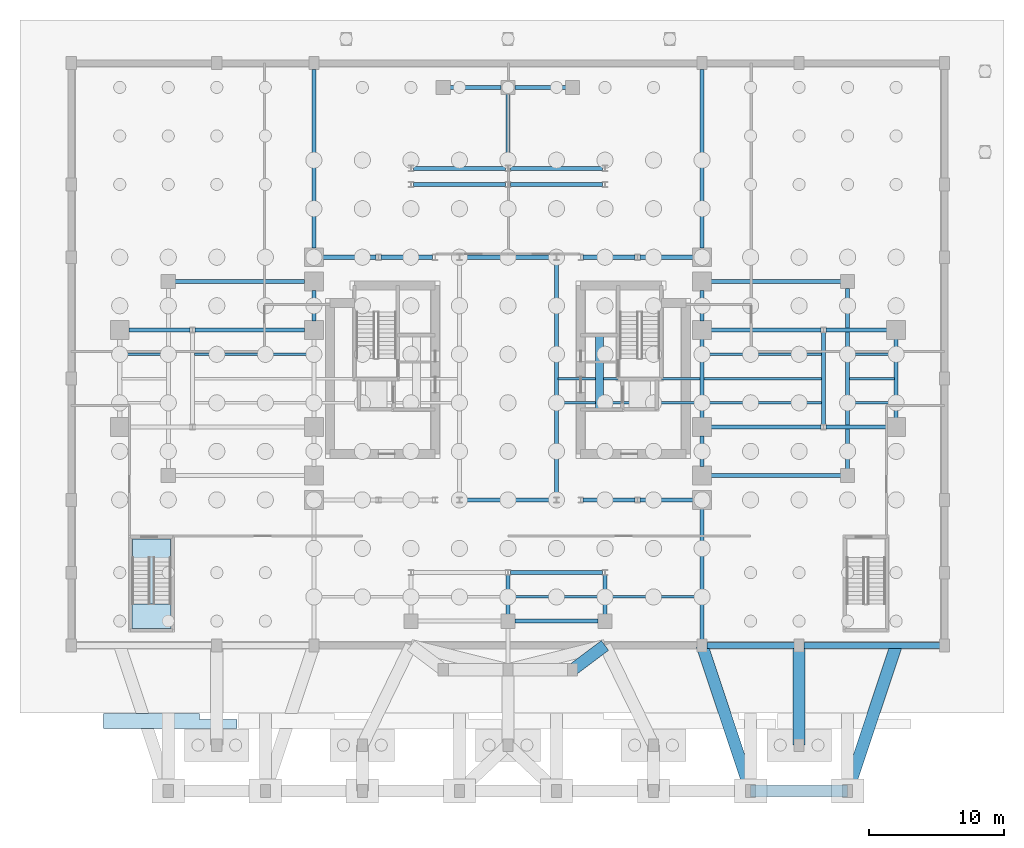
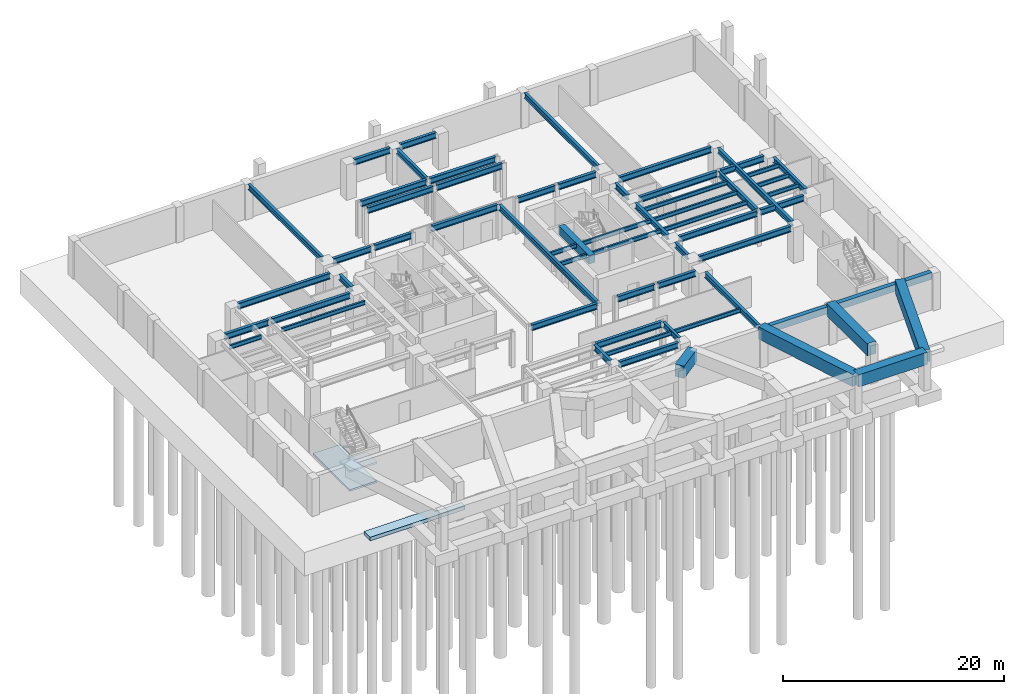
# One storey, part 6 of 13: 59 beams, 3 slabs, 1 element without a shape of its own.
"""IFC4 building model written with IfcOpenShell, lengths in metres."""

from ifc_helpers import new_model, si_unit, direction, frame, origin, origin_2d, place, context, subcontext, project, spatial, polyline, rectangle, i_section, outline, extrude, source, transform, mapped, material, layer, layer_set, material_profile, profile_set, type_object, element, aggregate, save


model = new_model("IFC4")

# Units and contexts
model_context = context("Model", 3, precision=1e-05, world=origin(), true_north=direction((0.0, 1.0)))
body_context = subcontext(model_context, "Body", "Model", "MODEL_VIEW")
ifc_project = project(units=[si_unit("LENGTHUNIT", "METRE"), si_unit("AREAUNIT", "SQUARE_METRE"), si_unit("VOLUMEUNIT", "CUBIC_METRE"), si_unit("PLANEANGLEUNIT", "RADIAN"), si_unit("MASSUNIT", "GRAM", prefix="KILO")], contexts=[model_context])

# Site, building, storey
site_placement = place(None, origin())
site = spatial("IfcSite", under=ifc_project, at=site_placement, CompositionType="ELEMENT")
building_placement = place(site_placement, origin())
building = spatial("IfcBuilding", under=site, at=building_placement, Name="Keilestroom Media Tower", CompositionType="ELEMENT")
storey_placement = place(building_placement, frame((0.0, 0.0, -8.39990234375)))
storey = spatial("IfcBuildingStorey", under=building, at=storey_placement, Name="B2", CompositionType="ELEMENT", Elevation=-8.39990234375)

# Beams
ifc_material_1 = material(Name="Concrete C55/67", Category="concrete")
ifc_material_profile_1 = material_profile(ifc_material_1, rectangle(XDim=0.89990234375, YDim=1.35009765625, at=origin_2d()), Name="RC 900x1350")
ifc_profile_set_1 = profile_set([ifc_material_profile_1], Name="Concrete C55/67")
beam_type_1 = type_object("IfcBeamType", Name="Primary-Structural-Girder-RC-900x1350", PredefinedType="BEAM", material=ifc_profile_set_1)
shared_shape_1 = source(origin(), body_context, "Body", "SweptSolid", [
    extrude(rectangle(XDim=0.89990234375, YDim=1.35009765625, at=origin_2d()), origin(), (0.0, 0.0, 1.0), 3.0),
])
beam_1_placement = place(storey_placement, frame((4.800048828125, -21.60009765625, 3.5048828125), z_axis=(0.799980468008, 0.600026041773, 0.0), x_axis=(-0.600026041773, 0.799980468008, 0.0)))
element("IfcBeam", 1, at=beam_1_placement, inside=storey, type_object=beam_type_1, Name="B2 South-Lobe Podium Tie Girder 4", PredefinedType="BEAM", context=body_context, shape_type="MappedRepresentation", body=[
    mapped(shared_shape_1, transform((0.0, 0.0, 0.0), x_axis=(1.0, 0.0, 0.0), y_axis=(0.0, 1.0, 0.0), z_axis=(0.0, 0.0, 1.0), scale=1.0)),
])
shared_shape_2 = source(origin(), body_context, "Body", "SweptSolid", [
    extrude(rectangle(XDim=0.89990234375, YDim=1.35009765625, at=origin_2d()), origin(), (0.0, 0.0, 1.0), 11.38427734375),
])
for number, where, z_axis, x_axis, name in (
    (2, (18.0, -30.60009765625, 3.52490234375), (-0.316234199636, 0.948681153486, 0.0), (-0.948681153486, -0.316234199636, 0.0), "B2 Quay Apron Structural Tie Beam 07"),
    (3, (25.199951171875, -30.60009765625, 3.52490234375), (0.316234199636, 0.948681153486, 0.0), (-0.948681153486, 0.316234199636, 0.0), "B2 Quay Apron Structural Tie Beam 08"),
):
    element("IfcBeam", number, at=place(storey_placement, frame(where, z_axis=z_axis, x_axis=x_axis)), inside=storey, type_object=beam_type_1, Name=name, PredefinedType="BEAM", context=body_context, shape_type="MappedRepresentation", body=[
        mapped(shared_shape_2, transform((0.0, 0.0, 0.0), x_axis=(1.0, 0.0, 0.0), y_axis=(0.0, 1.0, 0.0), z_axis=(0.0, 0.0, 1.0), scale=1.0)),
    ])
shared_shape_3 = source(origin(), body_context, "Body", "SweptSolid", [
    extrude(rectangle(XDim=0.89990234375, YDim=1.35009765625, at=origin_2d()), origin(), (0.0, 0.0, 1.0), 7.39990234375),
])
beam_2_placement = place(storey_placement, frame((21.60009765625, -27.199951171875, 3.52490234375), z_axis=(0.0, 1.0, 0.0), x_axis=(-1.0, 0.0, 0.0)))
element("IfcBeam", 4, at=beam_2_placement, inside=storey, type_object=beam_type_1, Name="B2 Quay Apron Structural Tie Beam 13", PredefinedType="BEAM", context=body_context, shape_type="MappedRepresentation", body=[
    mapped(shared_shape_3, transform((0.0, 0.0, 0.0), x_axis=(1.0, 0.0, 0.0), y_axis=(0.0, 1.0, 0.0), z_axis=(0.0, 0.0, 1.0), scale=1.0)),
])
shared_shape_4 = source(origin(), body_context, "Body", "SweptSolid", [
    extrude(rectangle(XDim=0.89990234375, YDim=1.35009765625, at=origin_2d()), origin(), (0.0, 0.0, 1.0), 7.199951171875),
])
beam_3_placement = place(storey_placement, frame((18.0, -30.60009765625, 3.52490234375), z_axis=(1.0, 0.0, 0.0), x_axis=(0.0, 1.0, 0.0)))
element("IfcBeam", 5, at=beam_3_placement, inside=storey, type_object=beam_type_1, Name="B2 Quay Apron Structural Tie Beam 20", PredefinedType="BEAM", context=body_context, shape_type="MappedRepresentation", body=[
    mapped(shared_shape_4, transform((0.0, 0.0, 0.0), x_axis=(1.0, 0.0, 0.0), y_axis=(0.0, 1.0, 0.0), z_axis=(0.0, 0.0, 1.0), scale=1.0)),
])
ifc_material_2 = material(Name="Precast concrete C40/50", Category="concrete")
ifc_material_profile_2 = material_profile(ifc_material_2, rectangle(XDim=0.449951171875, YDim=0.75, at=origin_2d()), Name="PC 450x750")
ifc_profile_set_2 = profile_set([ifc_material_profile_2], Name="Precast concrete C40/50")
beam_type_2 = type_object("IfcBeamType", Name="Perimeter-Spandrel-Beam-PC-450x750", PredefinedType="SPANDREL", material=ifc_profile_set_2)
shared_shape_5 = source(origin(), body_context, "Body", "SweptSolid", [
    extrude(rectangle(XDim=0.449951171875, YDim=0.75, at=origin_2d()), origin(), (0.0, 0.0, 1.0), 10.08984375),
])
beam_4_placement = place(storey_placement, frame((21.955078125, -19.800048828125, 3.544921875), z_axis=(1.0, 0.0, 0.0), x_axis=(0.0, 1.0, 0.0)))
element("IfcBeam", 6, at=beam_4_placement, inside=storey, type_object=beam_type_2, Name="B2 Beam SPB-1 BM-B2-EW-004", PredefinedType="SPANDREL", context=body_context, shape_type="MappedRepresentation", body=[
    mapped(shared_shape_5, transform((0.0, 0.0, 0.0), x_axis=(1.0, 0.0, 0.0), y_axis=(0.0, 1.0, 0.0), z_axis=(0.0, 0.0, 1.0), scale=1.0)),
])
shared_shape_6 = source(origin(), body_context, "Body", "SweptSolid", [
    extrude(rectangle(XDim=0.449951171875, YDim=0.75, at=origin_2d()), origin(), (0.0, 0.0, 1.0), 6.490234375),
])
beam_5_placement = place(storey_placement, frame((14.7548828125, -19.800048828125, 3.544921875), z_axis=(1.0, 0.0, 0.0), x_axis=(0.0, 1.0, 0.0)))
element("IfcBeam", 7, at=beam_5_placement, inside=storey, type_object=beam_type_2, Name="B2 Beam SPB-1 BM-B2-EW-003", PredefinedType="SPANDREL", context=body_context, shape_type="MappedRepresentation", body=[
    mapped(shared_shape_6, transform((0.0, 0.0, 0.0), x_axis=(1.0, 0.0, 0.0), y_axis=(0.0, 1.0, 0.0), z_axis=(0.0, 0.0, 1.0), scale=1.0)),
])
ifc_material_3 = material(Name="Steel S355", Category="steel")
ifc_material_profile_3 = material_profile(ifc_material_3, i_section(OverallWidth=0.300048828125, OverallDepth=0.64990234375, WebThickness=0.013916015625, FlangeThickness=0.031005859375, at=origin_2d()), Name="HEB 650")
ifc_profile_set_3 = profile_set([ifc_material_profile_3], Name="Steel S355")
beam_type_3 = type_object("IfcBeamType", Name="Primary-Structural-Girder-HEB-650", PredefinedType="BEAM", material=ifc_profile_set_3)
shared_shape_7 = source(origin(), body_context, "Body", "SweptSolid", [
    extrude(i_section(OverallWidth=0.300048828125, OverallDepth=0.64990234375, WebThickness=0.013916015625, FlangeThickness=0.031005859375, at=origin_2d()), origin(), (0.0, 0.0, 1.0), 6.190185546875),
])
beam_6_placement = place(storey_placement, frame((0.5048828125, -18.0, 3.594970703125), z_axis=(1.0, 0.0, 0.0), x_axis=(0.0, 1.0, 0.0)))
element("IfcBeam", 8, at=beam_6_placement, inside=storey, type_object=beam_type_3, Name="B2 Beam BG-3 BM-B2-EW-006", PredefinedType="BEAM", context=body_context, shape_type="MappedRepresentation", body=[
    mapped(shared_shape_7, transform((0.0, 0.0, 0.0), x_axis=(1.0, 0.0, 0.0), y_axis=(0.0, 1.0, 0.0), z_axis=(0.0, 0.0, 1.0), scale=1.0)),
])
shared_shape_8 = source(origin(), body_context, "Body", "SweptSolid", [
    extrude(i_section(OverallWidth=0.300048828125, OverallDepth=0.64990234375, WebThickness=0.013916015625, FlangeThickness=0.031005859375, at=origin_2d()), origin(), (0.0, 0.0, 1.0), 6.833984375),
])
for number, where, z_axis, x_axis, name in (
    (9, (0.18310546875, -14.39990234375, 3.594970703125), (1.0, 0.0, 0.0), (0.0, 1.0, 0.0), "B2 Beam BG-3 BM-B2-EW-008"),
    (10, (-3.4169921875, -9.0, 3.594970703125), (1.0, 0.0, 0.0), (0.0, 1.0, 0.0), "B2 Beam BG-3 BM-B2-EW-012"),
    (11, (-3.4169921875, 9.0, 3.594970703125), (1.0, 0.0, 0.0), (0.0, 1.0, 0.0), "B2 Beam BG-3 BM-B2-EW-031"),
    (12, (-7.01708984375, 14.39990234375, 3.594970703125), (1.0, 0.0, 0.0), (0.0, 1.0, 0.0), "B2 Beam BG-3 BM-B2-EW-035"),
    (13, (0.18310546875, 14.39990234375, 3.594970703125), (1.0, 0.0, 0.0), (0.0, 1.0, 0.0), "B2 Beam BG-3 BM-B2-EW-036"),
    (14, (-7.01708984375, 15.60009765625, 3.594970703125), (1.0, 0.0, 0.0), (0.0, 1.0, 0.0), "B2 Beam BG-3 BM-B2-EW-037"),
    (15, (0.18310546875, 15.60009765625, 3.594970703125), (1.0, 0.0, 0.0), (0.0, 1.0, 0.0), "B2 Beam BG-3 BM-B2-EW-038"),
):
    element("IfcBeam", number, at=place(storey_placement, frame(where, z_axis=z_axis, x_axis=x_axis)), inside=storey, type_object=beam_type_3, Name=name, PredefinedType="BEAM", context=body_context, shape_type="MappedRepresentation", body=[
        mapped(shared_shape_8, transform((0.0, 0.0, 0.0), x_axis=(1.0, 0.0, 0.0), y_axis=(0.0, 1.0, 0.0), z_axis=(0.0, 0.0, 1.0), scale=1.0)),
    ])
shared_shape_9 = source(origin(), body_context, "Body", "SweptSolid", [
    extrude(i_section(OverallWidth=0.300048828125, OverallDepth=0.64990234375, WebThickness=0.013916015625, FlangeThickness=0.031005859375, at=origin_2d()), origin(), (0.0, 0.0, 1.0), 3.93701171875),
])
for number, where, z_axis, x_axis, name in (
    (16, (9.782958984375, -9.0, 3.594970703125), (1.0, 0.0, 0.0), (0.0, 1.0, 0.0), "B2 Beam BG-3 BM-B2-EW-015"),
    (17, (-13.719970703125, 9.0, 3.594970703125), (1.0, 0.0, 0.0), (0.0, 1.0, 0.0), "B2 Beam BG-3 BM-B2-EW-028"),
    (18, (9.782958984375, 9.0, 3.594970703125), (1.0, 0.0, 0.0), (0.0, 1.0, 0.0), "B2 Beam BG-3 BM-B2-EW-034"),
):
    element("IfcBeam", number, at=place(storey_placement, frame(where, z_axis=z_axis, x_axis=x_axis)), inside=storey, type_object=beam_type_3, Name=name, PredefinedType="BEAM", context=body_context, shape_type="MappedRepresentation", body=[
        mapped(shared_shape_9, transform((0.0, 0.0, 0.0), x_axis=(1.0, 0.0, 0.0), y_axis=(0.0, 1.0, 0.0), z_axis=(0.0, 0.0, 1.0), scale=1.0)),
    ])
shared_shape_10 = source(origin(), body_context, "Body", "SweptSolid", [
    extrude(i_section(OverallWidth=0.300048828125, OverallDepth=0.64990234375, WebThickness=0.013916015625, FlangeThickness=0.031005859375, at=origin_2d()), origin(), (0.0, 0.0, 1.0), 3.833984375),
])
for number, where, z_axis, x_axis, name in (
    (19, (5.5830078125, -9.0, 3.594970703125), (1.0, 0.0, 0.0), (0.0, 1.0, 0.0), "B2 Beam BG-3 BM-B2-EW-014"),
    (20, (-9.4169921875, 9.0, 3.594970703125), (1.0, 0.0, 0.0), (0.0, 1.0, 0.0), "B2 Beam BG-3 BM-B2-EW-029"),
    (21, (5.5830078125, 9.0, 3.594970703125), (1.0, 0.0, 0.0), (0.0, 1.0, 0.0), "B2 Beam BG-3 BM-B2-EW-033"),
):
    element("IfcBeam", number, at=place(storey_placement, frame(where, z_axis=z_axis, x_axis=x_axis)), inside=storey, type_object=beam_type_3, Name=name, PredefinedType="BEAM", context=body_context, shape_type="MappedRepresentation", body=[
        mapped(shared_shape_10, transform((0.0, 0.0, 0.0), x_axis=(1.0, 0.0, 0.0), y_axis=(0.0, 1.0, 0.0), z_axis=(0.0, 0.0, 1.0), scale=1.0)),
    ])
shared_shape_11 = source(origin(), body_context, "Body", "SweptSolid", [
    extrude(i_section(OverallWidth=0.300048828125, OverallDepth=0.64990234375, WebThickness=0.013916015625, FlangeThickness=0.031005859375, at=origin_2d()), origin(), (0.0, 0.0, 1.0), 9.614990234375),
])
for number, where, z_axis, x_axis, name in (
    (22, (15.080078125, -7.199951171875, 3.594970703125), (1.0, 0.0, 0.0), (0.0, 1.0, 0.0), "B2 Beam BG-3 BM-B2-EW-017"),
    (23, (-24.695068359375, 7.199951171875, 3.594970703125), (1.0, 0.0, 0.0), (0.0, 1.0, 0.0), "B2 Beam BG-3 BM-B2-EW-026"),
    (24, (15.080078125, 7.199951171875, 3.594970703125), (1.0, 0.0, 0.0), (0.0, 1.0, 0.0), "B2 Beam BG-3 BM-B2-EW-027"),
):
    element("IfcBeam", number, at=place(storey_placement, frame(where, z_axis=z_axis, x_axis=x_axis)), inside=storey, type_object=beam_type_3, Name=name, PredefinedType="BEAM", context=body_context, shape_type="MappedRepresentation", body=[
        mapped(shared_shape_11, transform((0.0, 0.0, 0.0), x_axis=(1.0, 0.0, 0.0), y_axis=(0.0, 1.0, 0.0), z_axis=(0.0, 0.0, 1.0), scale=1.0)),
    ])
shared_shape_12 = source(origin(), body_context, "Body", "SweptSolid", [
    extrude(i_section(OverallWidth=0.300048828125, OverallDepth=0.64990234375, WebThickness=0.013916015625, FlangeThickness=0.031005859375, at=origin_2d()), origin(), (0.0, 0.0, 1.0), 4.537109375),
])
for number, where, z_axis, x_axis, name in (
    (25, (23.5830078125, -3.60009765625, 3.594970703125), (1.0, 0.0, 0.0), (0.0, 1.0, 0.0), "B2 Beam BG-3 BM-B2-EW-021"),
    (26, (-28.1201171875, 3.60009765625, 3.594970703125), (1.0, 0.0, 0.0), (0.0, 1.0, 0.0), "B2 Beam BG-3 BM-B2-EW-022"),
    (27, (23.5830078125, 3.60009765625, 3.594970703125), (1.0, 0.0, 0.0), (0.0, 1.0, 0.0), "B2 Beam BG-3 BM-B2-EW-025"),
):
    element("IfcBeam", number, at=place(storey_placement, frame(where, z_axis=z_axis, x_axis=x_axis)), inside=storey, type_object=beam_type_3, Name=name, PredefinedType="BEAM", context=body_context, shape_type="MappedRepresentation", body=[
        mapped(shared_shape_12, transform((0.0, 0.0, 0.0), x_axis=(1.0, 0.0, 0.0), y_axis=(0.0, 1.0, 0.0), z_axis=(0.0, 0.0, 1.0), scale=1.0)),
    ])
shared_shape_13 = source(origin(), body_context, "Body", "SweptSolid", [
    extrude(i_section(OverallWidth=0.300048828125, OverallDepth=0.64990234375, WebThickness=0.013916015625, FlangeThickness=0.031005859375, at=origin_2d()), origin(), (0.0, 0.0, 1.0), 8.136962890625),
])
for number, where, z_axis, x_axis, name in (
    (28, (15.080078125, -3.60009765625, 3.594970703125), (1.0, 0.0, 0.0), (0.0, 1.0, 0.0), "B2 Beam BG-3 BM-B2-EW-020"),
    (29, (-23.217041015625, 3.60009765625, 3.594970703125), (1.0, 0.0, 0.0), (0.0, 1.0, 0.0), "B2 Beam BG-3 BM-B2-EW-023"),
    (30, (15.080078125, 3.60009765625, 3.594970703125), (1.0, 0.0, 0.0), (0.0, 1.0, 0.0), "B2 Beam BG-3 BM-B2-EW-024"),
):
    element("IfcBeam", number, at=place(storey_placement, frame(where, z_axis=z_axis, x_axis=x_axis)), inside=storey, type_object=beam_type_3, Name=name, PredefinedType="BEAM", context=body_context, shape_type="MappedRepresentation", body=[
        mapped(shared_shape_13, transform((0.0, 0.0, 0.0), x_axis=(1.0, 0.0, 0.0), y_axis=(0.0, 1.0, 0.0), z_axis=(0.0, 0.0, 1.0), scale=1.0)),
    ])
shared_shape_14 = source(origin(), body_context, "Body", "SweptSolid", [
    extrude(i_section(OverallWidth=0.300048828125, OverallDepth=0.64990234375, WebThickness=0.013916015625, FlangeThickness=0.031005859375, at=origin_2d()), origin(), (0.0, 0.0, 1.0), 3.7900390625),
])
for number, where, z_axis, x_axis, name in (
    (31, (-4.294921875, 21.60009765625, 3.594970703125), (1.0, 0.0, 0.0), (0.0, 1.0, 0.0), "B2 Beam BG-3 BM-B2-EW-039"),
    (32, (0.5048828125, 21.60009765625, 3.594970703125), (1.0, 0.0, 0.0), (0.0, 1.0, 0.0), "B2 Beam BG-3 BM-B2-EW-040"),
):
    element("IfcBeam", number, at=place(storey_placement, frame(where, z_axis=z_axis, x_axis=x_axis)), inside=storey, type_object=beam_type_3, Name=name, PredefinedType="BEAM", context=body_context, shape_type="MappedRepresentation", body=[
        mapped(shared_shape_14, transform((0.0, 0.0, 0.0), x_axis=(1.0, 0.0, 0.0), y_axis=(0.0, 1.0, 0.0), z_axis=(0.0, 0.0, 1.0), scale=1.0)),
    ])
ifc_material_profile_4 = material_profile(ifc_material_3, i_section(OverallWidth=0.300048828125, OverallDepth=0.590087890625, WebThickness=0.012939453125, FlangeThickness=0.02490234375, at=origin_2d()), Name="HEA 600")
ifc_profile_set_4 = profile_set([ifc_material_profile_4], Name="Steel S355")
beam_type_4 = type_object("IfcBeamType", Name="Primary-Structural-Girder-HEA-600", PredefinedType="BEAM", material=ifc_profile_set_4)
shared_shape_15 = source(origin(), body_context, "Body", "SweptSolid", [
    extrude(i_section(OverallWidth=0.300048828125, OverallDepth=0.590087890625, WebThickness=0.012939453125, FlangeThickness=0.02490234375, at=origin_2d()), origin(), (0.0, 0.0, 1.0), 5.83984375),
])
for number, where, z_axis, x_axis, name in (
    (33, (14.39990234375, -2.919921875, 3.625), (0.0, 1.0, 0.0), (-1.0, 0.0, 0.0), "B2 Beam BG-9 BM-B2-NS-078"),
    (34, (28.800048828125, -2.919921875, 3.625), (0.0, 1.0, 0.0), (-1.0, 0.0, 0.0), "B2 Beam BG-9 BM-B2-NS-084"),
):
    element("IfcBeam", number, at=place(storey_placement, frame(where, z_axis=z_axis, x_axis=x_axis)), inside=storey, type_object=beam_type_4, Name=name, PredefinedType="BEAM", context=body_context, shape_type="MappedRepresentation", body=[
        mapped(shared_shape_15, transform((0.0, 0.0, 0.0), x_axis=(1.0, 0.0, 0.0), y_axis=(0.0, 1.0, 0.0), z_axis=(0.0, 0.0, 1.0), scale=1.0)),
    ])
shared_shape_16 = source(origin(), body_context, "Body", "SweptSolid", [
    extrude(i_section(OverallWidth=0.300048828125, OverallDepth=0.590087890625, WebThickness=0.012939453125, FlangeThickness=0.02490234375, at=origin_2d()), origin(), (0.0, 0.0, 1.0), 13.39013671875),
])
beam_7_placement = place(storey_placement, frame((25.199951171875, -6.695068359375, 3.625), z_axis=(0.0, 1.0, 0.0), x_axis=(-1.0, 0.0, 0.0)))
element("IfcBeam", 35, at=beam_7_placement, inside=storey, type_object=beam_type_4, Name="B2 Beam BG-9 BM-B2-NS-083", PredefinedType="BEAM", context=body_context, shape_type="MappedRepresentation", body=[
    mapped(shared_shape_16, transform((0.0, 0.0, 0.0), x_axis=(1.0, 0.0, 0.0), y_axis=(0.0, 1.0, 0.0), z_axis=(0.0, 0.0, 1.0), scale=1.0)),
])
shared_shape_17 = source(origin(), body_context, "Body", "SweptSolid", [
    extrude(i_section(OverallWidth=0.300048828125, OverallDepth=0.590087890625, WebThickness=0.012939453125, FlangeThickness=0.02490234375, at=origin_2d()), origin(), (0.0, 0.0, 1.0), 6.82421875),
])
beam_8_placement = place(storey_placement, frame((23.39990234375, -3.412109375, 3.625), z_axis=(0.0, 1.0, 0.0), x_axis=(-1.0, 0.0, 0.0)))
element("IfcBeam", 36, at=beam_8_placement, inside=storey, type_object=beam_type_4, Name="B2 Beam BG-9 BM-B2-NS-082", PredefinedType="BEAM", context=body_context, shape_type="MappedRepresentation", body=[
    mapped(shared_shape_17, transform((0.0, 0.0, 0.0), x_axis=(1.0, 0.0, 0.0), y_axis=(0.0, 1.0, 0.0), z_axis=(0.0, 0.0, 1.0), scale=1.0)),
])
shared_shape_18 = source(origin(), body_context, "Body", "SweptSolid", [
    extrude(i_section(OverallWidth=0.300048828125, OverallDepth=0.590087890625, WebThickness=0.012939453125, FlangeThickness=0.02490234375, at=origin_2d()), origin(), (0.0, 0.0, 1.0), 9.6650390625),
])
beam_9_placement = place(storey_placement, frame((14.39990234375, -19.344970703125, 3.625), z_axis=(0.0, 1.0, 0.0), x_axis=(-1.0, 0.0, 0.0)))
element("IfcBeam", 37, at=beam_9_placement, inside=storey, type_object=beam_type_4, Name="B2 Beam BG-9 BM-B2-NS-075", PredefinedType="BEAM", context=body_context, shape_type="MappedRepresentation", body=[
    mapped(shared_shape_18, transform((0.0, 0.0, 0.0), x_axis=(1.0, 0.0, 0.0), y_axis=(0.0, 1.0, 0.0), z_axis=(0.0, 0.0, 1.0), scale=1.0)),
])
shared_shape_19 = source(origin(), body_context, "Body", "SweptSolid", [
    extrude(i_section(OverallWidth=0.300048828125, OverallDepth=0.590087890625, WebThickness=0.012939453125, FlangeThickness=0.02490234375, at=origin_2d()), origin(), (0.0, 0.0, 1.0), 2.239990234375),
])
for number, where, z_axis, x_axis, name in (
    (38, (-14.39990234375, 4.280029296875, 3.625), (0.0, 1.0, 0.0), (-1.0, 0.0, 0.0), "B2 Beam BG-9 BM-B2-NS-058"),
    (39, (14.39990234375, -6.52001953125, 3.625), (0.0, 1.0, 0.0), (-1.0, 0.0, 0.0), "B2 Beam BG-9 BM-B2-NS-077"),
    (40, (14.39990234375, 4.280029296875, 3.625), (0.0, 1.0, 0.0), (-1.0, 0.0, 0.0), "B2 Beam BG-9 BM-B2-NS-079"),
):
    element("IfcBeam", number, at=place(storey_placement, frame(where, z_axis=z_axis, x_axis=x_axis)), inside=storey, type_object=beam_type_4, Name=name, PredefinedType="BEAM", context=body_context, shape_type="MappedRepresentation", body=[
        mapped(shared_shape_19, transform((0.0, 0.0, 0.0), x_axis=(1.0, 0.0, 0.0), y_axis=(0.0, 1.0, 0.0), z_axis=(0.0, 0.0, 1.0), scale=1.0)),
    ])
shared_shape_20 = source(origin(), body_context, "Body", "SweptSolid", [
    extrude(i_section(OverallWidth=0.300048828125, OverallDepth=0.590087890625, WebThickness=0.012939453125, FlangeThickness=0.02490234375, at=origin_2d()), origin(), (0.0, 0.0, 1.0), 13.26513671875),
])
for number, where, z_axis, x_axis, name in (
    (41, (-14.39990234375, 9.679931640625, 3.625), (0.0, 1.0, 0.0), (-1.0, 0.0, 0.0), "B2 Beam BG-9 BM-B2-NS-060"),
    (42, (14.39990234375, 9.679931640625, 3.625), (0.0, 1.0, 0.0), (-1.0, 0.0, 0.0), "B2 Beam BG-9 BM-B2-NS-081"),
):
    element("IfcBeam", number, at=place(storey_placement, frame(where, z_axis=z_axis, x_axis=x_axis)), inside=storey, type_object=beam_type_4, Name=name, PredefinedType="BEAM", context=body_context, shape_type="MappedRepresentation", body=[
        mapped(shared_shape_20, transform((0.0, 0.0, 0.0), x_axis=(1.0, 0.0, 0.0), y_axis=(0.0, 1.0, 0.0), z_axis=(0.0, 0.0, 1.0), scale=1.0)),
    ])
shared_shape_21 = source(origin(), body_context, "Body", "SweptSolid", [
    extrude(i_section(OverallWidth=0.300048828125, OverallDepth=0.590087890625, WebThickness=0.012939453125, FlangeThickness=0.02490234375, at=origin_2d()), origin(), (0.0, 0.0, 1.0), 2.9072265625),
])
for number, where, z_axis, x_axis, name in (
    (43, (0.0, -17.4951171875, 3.625), (0.0, 1.0, 0.0), (-1.0, 0.0, 0.0), "B2 Beam BG-9 BM-B2-NS-067"),
    (44, (7.199951171875, -17.4951171875, 3.625), (0.0, 1.0, 0.0), (-1.0, 0.0, 0.0), "B2 Beam BG-9 BM-B2-NS-072"),
):
    element("IfcBeam", number, at=place(storey_placement, frame(where, z_axis=z_axis, x_axis=x_axis)), inside=storey, type_object=beam_type_4, Name=name, PredefinedType="BEAM", context=body_context, shape_type="MappedRepresentation", body=[
        mapped(shared_shape_21, transform((0.0, 0.0, 0.0), x_axis=(1.0, 0.0, 0.0), y_axis=(0.0, 1.0, 0.0), z_axis=(0.0, 0.0, 1.0), scale=1.0)),
    ])
shared_shape_22 = source(origin(), body_context, "Body", "SweptSolid", [
    extrude(i_section(OverallWidth=0.300048828125, OverallDepth=0.590087890625, WebThickness=0.012939453125, FlangeThickness=0.02490234375, at=origin_2d()), origin(), (0.0, 0.0, 1.0), 17.6240234375),
])
beam_10_placement = place(storey_placement, frame((3.60009765625, -8.81201171875, 3.625), z_axis=(0.0, 1.0, 0.0), x_axis=(-1.0, 0.0, 0.0)))
element("IfcBeam", 45, at=beam_10_placement, inside=storey, type_object=beam_type_4, Name="B2 Beam BG-9 BM-B2-NS-070", PredefinedType="BEAM", context=body_context, shape_type="MappedRepresentation", body=[
    mapped(shared_shape_22, transform((0.0, 0.0, 0.0), x_axis=(1.0, 0.0, 0.0), y_axis=(0.0, 1.0, 0.0), z_axis=(0.0, 0.0, 1.0), scale=1.0)),
])
shared_shape_23 = source(origin(), body_context, "Body", "SweptSolid", [
    extrude(i_section(OverallWidth=0.300048828125, OverallDepth=0.590087890625, WebThickness=0.012939453125, FlangeThickness=0.02490234375, at=origin_2d()), origin(), (0.0, 0.0, 1.0), 5.306884765625),
])
beam_11_placement = place(storey_placement, frame((0.0, 15.7880859375, 3.625), z_axis=(0.0, 1.0, 0.0), x_axis=(-1.0, 0.0, 0.0)))
element("IfcBeam", 46, at=beam_11_placement, inside=storey, type_object=beam_type_4, Name="B2 Beam BG-9 BM-B2-NS-069", PredefinedType="BEAM", context=body_context, shape_type="MappedRepresentation", body=[
    mapped(shared_shape_23, transform((0.0, 0.0, 0.0), x_axis=(1.0, 0.0, 0.0), y_axis=(0.0, 1.0, 0.0), z_axis=(0.0, 0.0, 1.0), scale=1.0)),
])
ifc_material_profile_5 = material_profile(ifc_material_3, i_section(OverallWidth=0.18994140625, OverallDepth=0.449951171875, WebThickness=0.009521484375, FlangeThickness=0.0146484375, at=origin_2d()), Name="IPE 450")
ifc_profile_set_5 = profile_set([ifc_material_profile_5], Name="Steel S355")
beam_type_5 = type_object("IfcBeamType", Name="Secondary-Floor-Joist-IPE-450", PredefinedType="JOIST", material=ifc_profile_set_5)
shared_shape_24 = source(origin(), body_context, "Body", "SweptSolid", [
    extrude(i_section(OverallWidth=0.18994140625, OverallDepth=0.449951171875, WebThickness=0.009521484375, FlangeThickness=0.0146484375, at=origin_2d()), origin(), (0.0, 0.0, 1.0), 6.93994140625),
])
beam_12_placement = place(storey_placement, frame((7.330078125, -16.199951171875, 3.69482421875), z_axis=(1.0, 0.0, 0.0), x_axis=(0.0, 1.0, 0.0)))
element("IfcBeam", 47, at=beam_12_placement, inside=storey, type_object=beam_type_5, Name="B2 Beam BJ-3 JST-B2-094", PredefinedType="JOIST", context=body_context, shape_type="MappedRepresentation", body=[
    mapped(shared_shape_24, transform((0.0, 0.0, 0.0), x_axis=(1.0, 0.0, 0.0), y_axis=(0.0, 1.0, 0.0), z_axis=(0.0, 0.0, 1.0), scale=1.0)),
])
shared_shape_25 = source(origin(), body_context, "Body", "SweptSolid", [
    extrude(i_section(OverallWidth=0.18994140625, OverallDepth=0.449951171875, WebThickness=0.009521484375, FlangeThickness=0.0146484375, at=origin_2d()), origin(), (0.0, 0.0, 1.0), 6.940185546875),
])
beam_13_placement = place(storey_placement, frame((0.1298828125, -16.199951171875, 3.69482421875), z_axis=(1.0, 0.0, 0.0), x_axis=(0.0, 1.0, 0.0)))
element("IfcBeam", 48, at=beam_13_placement, inside=storey, type_object=beam_type_5, Name="B2 Beam BJ-3 JST-B2-093", PredefinedType="JOIST", context=body_context, shape_type="MappedRepresentation", body=[
    mapped(shared_shape_25, transform((0.0, 0.0, 0.0), x_axis=(1.0, 0.0, 0.0), y_axis=(0.0, 1.0, 0.0), z_axis=(0.0, 0.0, 1.0), scale=1.0)),
])
shared_shape_26 = source(origin(), body_context, "Body", "SweptSolid", [
    extrude(i_section(OverallWidth=0.18994140625, OverallDepth=0.449951171875, WebThickness=0.009521484375, FlangeThickness=0.0146484375, at=origin_2d()), origin(), (0.0, 0.0, 1.0), 3.33984375),
])
for number, where, z_axis, x_axis, name in (
    (49, (25.330078125, -1.800048828125, 3.69482421875), (1.0, 0.0, 0.0), (0.0, 1.0, 0.0), "B2 Beam BJ-3 JST-B2-101"),
    (50, (25.330078125, 0.0, 3.69482421875), (1.0, 0.0, 0.0), (0.0, 1.0, 0.0), "B2 Beam BJ-3 JST-B2-108"),
    (51, (-28.669921875, 1.800048828125, 3.69482421875), (1.0, 0.0, 0.0), (0.0, 1.0, 0.0), "B2 Beam BJ-3 JST-B2-109"),
    (52, (25.330078125, 1.800048828125, 3.69482421875), (1.0, 0.0, 0.0), (0.0, 1.0, 0.0), "B2 Beam BJ-3 JST-B2-115"),
):
    element("IfcBeam", number, at=place(storey_placement, frame(where, z_axis=z_axis, x_axis=x_axis)), inside=storey, type_object=beam_type_5, Name=name, PredefinedType="JOIST", context=body_context, shape_type="MappedRepresentation", body=[
        mapped(shared_shape_26, transform((0.0, 0.0, 0.0), x_axis=(1.0, 0.0, 0.0), y_axis=(0.0, 1.0, 0.0), z_axis=(0.0, 0.0, 1.0), scale=1.0)),
    ])
shared_shape_27 = source(origin(), body_context, "Body", "SweptSolid", [
    extrude(i_section(OverallWidth=0.18994140625, OverallDepth=0.449951171875, WebThickness=0.009521484375, FlangeThickness=0.0146484375, at=origin_2d()), origin(), (0.0, 0.0, 1.0), 8.739990234375),
])
for number, where, z_axis, x_axis, name in (
    (53, (14.530029296875, -1.800048828125, 3.69482421875), (1.0, 0.0, 0.0), (0.0, 1.0, 0.0), "B2 Beam BJ-3 JST-B2-100"),
    (54, (14.530029296875, 0.0, 3.69482421875), (1.0, 0.0, 0.0), (0.0, 1.0, 0.0), "B2 Beam BJ-3 JST-B2-107"),
    (55, (-23.27001953125, 1.800048828125, 3.69482421875), (1.0, 0.0, 0.0), (0.0, 1.0, 0.0), "B2 Beam BJ-3 JST-B2-110"),
    (56, (14.530029296875, 1.800048828125, 3.69482421875), (1.0, 0.0, 0.0), (0.0, 1.0, 0.0), "B2 Beam BJ-3 JST-B2-114"),
):
    element("IfcBeam", number, at=place(storey_placement, frame(where, z_axis=z_axis, x_axis=x_axis)), inside=storey, type_object=beam_type_5, Name=name, PredefinedType="JOIST", context=body_context, shape_type="MappedRepresentation", body=[
        mapped(shared_shape_27, transform((0.0, 0.0, 0.0), x_axis=(1.0, 0.0, 0.0), y_axis=(0.0, 1.0, 0.0), z_axis=(0.0, 0.0, 1.0), scale=1.0)),
    ])
shared_shape_28 = source(origin(), body_context, "Body", "SweptSolid", [
    extrude(i_section(OverallWidth=0.18994140625, OverallDepth=0.449951171875, WebThickness=0.009521484375, FlangeThickness=0.0146484375, at=origin_2d()), origin(), (0.0, 0.0, 1.0), 10.5400390625),
])
for number, where, z_axis, x_axis, name in (
    (57, (3.72998046875, -1.800048828125, 3.69482421875), (1.0, 0.0, 0.0), (0.0, 1.0, 0.0), "B2 Beam BJ-3 JST-B2-099"),
    (58, (3.72998046875, 0.0, 3.69482421875), (1.0, 0.0, 0.0), (0.0, 1.0, 0.0), "B2 Beam BJ-3 JST-B2-106"),
):
    element("IfcBeam", number, at=place(storey_placement, frame(where, z_axis=z_axis, x_axis=x_axis)), inside=storey, type_object=beam_type_5, Name=name, PredefinedType="JOIST", context=body_context, shape_type="MappedRepresentation", body=[
        mapped(shared_shape_28, transform((0.0, 0.0, 0.0), x_axis=(1.0, 0.0, 0.0), y_axis=(0.0, 1.0, 0.0), z_axis=(0.0, 0.0, 1.0), scale=1.0)),
    ])
ifc_material_4 = material(Name="Concrete C70/85", Category="concrete")
ifc_material_profile_6 = material_profile(ifc_material_4, rectangle(XDim=0.60009765625, YDim=0.89990234375, at=origin_2d()), Name="RC 600x900")
ifc_profile_set_6 = profile_set([ifc_material_profile_6], Name="Concrete C70/85")
beam_type_6 = type_object("IfcBeamType", Name="Core-Coupling-Lintel-Beam-RC-600x900", PredefinedType="LINTEL", material=ifc_profile_set_6)
shared_shape_29 = source(origin(), body_context, "Body", "SweptSolid", [
    extrude(rectangle(XDim=0.60009765625, YDim=0.89990234375, at=origin_2d()), origin(), (0.0, 0.0, 1.0), 5.52001953125),
])
beam_14_placement = place(storey_placement, frame((6.800048828125, -2.300048828125, 3.469970703125), z_axis=(0.0, 1.0, 0.0), x_axis=(-1.0, 0.0, 0.0)))
element("IfcBeam", 59, at=beam_14_placement, inside=storey, type_object=beam_type_6, Name="B2 Beam CLB-1 CLB-B2-E", PredefinedType="LINTEL", context=body_context, shape_type="MappedRepresentation", body=[
    mapped(shared_shape_29, transform((0.0, 0.0, 0.0), x_axis=(1.0, 0.0, 0.0), y_axis=(0.0, 1.0, 0.0), z_axis=(0.0, 0.0, 1.0), scale=1.0)),
])

# Slabs
ifc_material_5 = material(Name="Concrete C50/60", Category="concrete")
ifc_layer_1 = layer(ifc_material_5, 0.199951171875)
ifc_layer_set_1 = layer_set([ifc_layer_1], Name="Concrete C50/60")
slab_type_1 = type_object("IfcSlabType", Name="Composite-Floor-Slab-200", PredefinedType="FLOOR", material=ifc_layer_set_1)
slab_1_placement = place(storey_placement, frame((0.0, 0.0, -0.2001953125)))
element("IfcSlab", 60, at=slab_1_placement, inside=storey, type_object=slab_type_1, Name="B2 Structural Basement Floor Slab 4", PredefinedType="FLOOR", context=body_context, shape_type="SweptSolid", body=[
    extrude(outline(polyline([(-25.02392578125, -18.52587890625), (-27.85595703125, -18.52587890625), (-27.85595703125, -11.89404296875), (-25.02392578125, -11.89404296875), (-25.02392578125, -18.52587890625)])), origin(), (0.0, 0.0, 1.0), 0.2001953125),
])
ifc_layer_2 = layer(ifc_material_1, 0.39990234375)
ifc_layer_set_2 = layer_set([ifc_layer_2], Name="Concrete C55/67")
slab_type_2 = type_object("IfcSlabType", Name="Piled-Raft-Base-Slab-400", PredefinedType="BASESLAB", material=ifc_layer_set_2)
slab_2_placement = place(storey_placement, frame((0.0, 0.0, -0.400146484375)))
element("IfcSlab", 61, at=slab_2_placement, inside=storey, type_object=slab_type_2, Name="B2 Cofferdam Apron Base Slab 1", PredefinedType="BASESLAB", context=body_context, shape_type="SweptSolid", body=[
    extrude(outline(polyline([(-30.0, -25.949951171875), (-20.10009765625, -25.949951171875), (-20.10009765625, -25.300048828125), (-22.8720703125, -25.300048828125), (-22.8720703125, -24.85009765625), (-30.0, -24.85009765625), (-30.0, -25.949951171875)])), origin(), (0.0, 0.0, 1.0), 0.400146484375),
])

# Stair, slab
ifc_material_6 = material(Name="Concrete C45/55", Category="concrete")
stair_type = type_object("IfcStairType", Name="Enclosed-Dog-Leg-Stair-ST-POD", PredefinedType="HALF_TURN_STAIR", material=ifc_material_6)
stair_placement = place(storey_placement, origin())
stair = element("IfcStair", 62, at=stair_placement, inside=storey, type_object=stair_type, Name="B2 Podium West Studio Escape Stair ST-3", PredefinedType="HALF_TURN_STAIR")
ifc_layer_3 = layer(ifc_material_6, 0.199951171875)
ifc_layer_set_3 = layer_set([ifc_layer_3], Name="Concrete C45/55")
slab_type_3 = type_object("IfcSlabType", Name="Stair-Intermediate-And-Top-Landing-Slab-200", PredefinedType="LANDING", material=ifc_layer_set_3)
slab_3_placement = place(storey_placement, frame((0.0, 0.0, 1.89990234375)))
slab_3 = element("IfcSlab", 63, at=slab_3_placement, type_object=slab_type_3, Name="ST-3 landing 1", PredefinedType="LANDING", context=body_context, shape_type="SweptSolid", body=[
    extrude(outline(polyline([(-27.8798828125, -16.721923828125), (-27.8798828125, -18.550048828125), (-25.0, -18.550048828125), (-25.0, -16.721923828125), (-27.8798828125, -16.721923828125)])), origin(), (0.0, 0.0, 1.0), 0.199951171875),
])
aggregate(stair, [slab_3])

save(model, "model.ifc")
